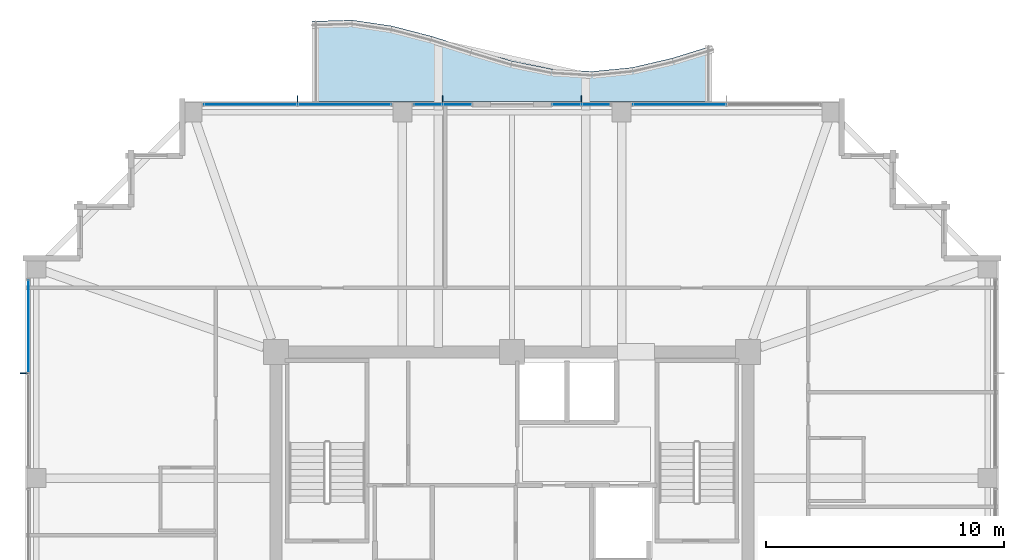
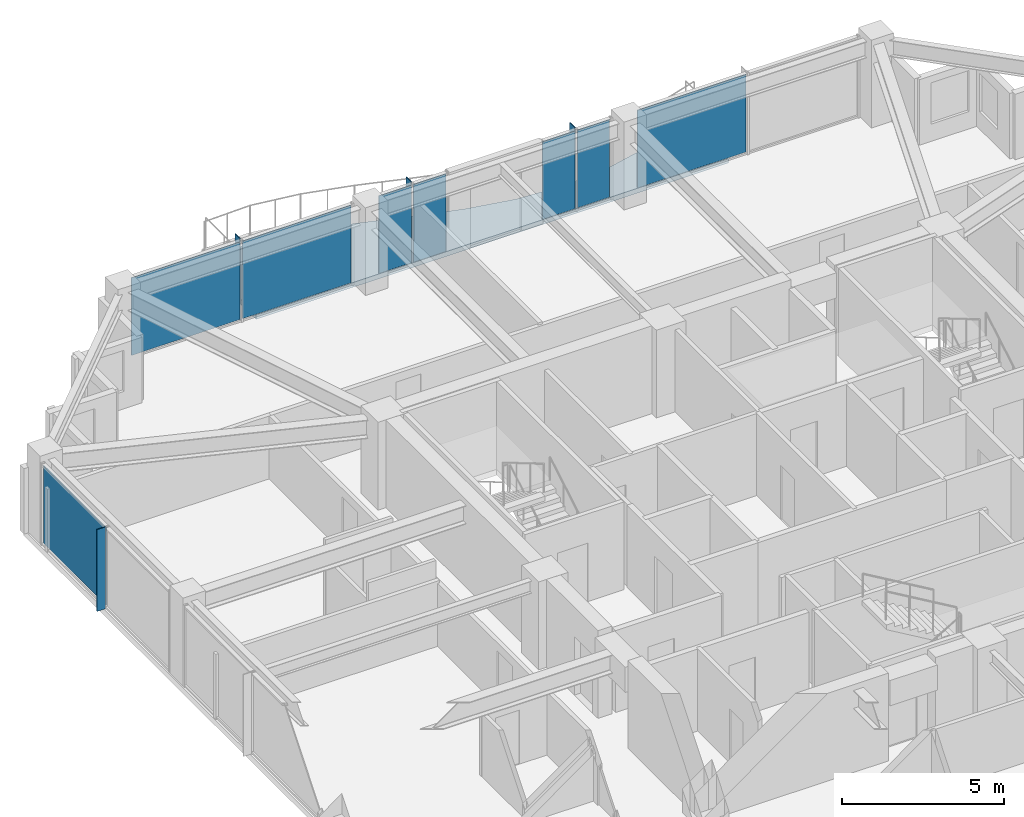
# One storey, part 28 of 36: 12 plates, 1 slab, 5 elements without a shape of their own.
"""IFC4 building model written with IfcOpenShell, lengths in metres."""

from ifc_helpers import new_model, si_unit, direction, frame, origin, origin_2d, place, context, subcontext, project, spatial, polyline, rectangle, outline, extrude, material, layer, layer_set, type_object, element, aggregate, save


model = new_model("IFC4")

# Units and contexts
model_context = context("Model", 3, precision=1e-05, world=origin(), true_north=direction((0.0, 1.0)))
body_context = subcontext(model_context, "Body", "Model", "MODEL_VIEW")
ifc_project = project(units=[si_unit("LENGTHUNIT", "METRE"), si_unit("AREAUNIT", "SQUARE_METRE"), si_unit("VOLUMEUNIT", "CUBIC_METRE"), si_unit("PLANEANGLEUNIT", "RADIAN"), si_unit("MASSUNIT", "GRAM", prefix="KILO")], contexts=[model_context])

# Site, building, storey
site_placement = place(None, origin())
site = spatial("IfcSite", under=ifc_project, at=site_placement, CompositionType="ELEMENT")
building_placement = place(site_placement, origin())
building = spatial("IfcBuilding", under=site, at=building_placement, Name="Kolvaren Belvedere", CompositionType="ELEMENT")
storey_placement = place(building_placement, frame((0.0, 0.0, 196.5)))
storey = spatial("IfcBuildingStorey", under=building, at=storey_placement, Name="L57", CompositionType="ELEMENT", Elevation=196.5)

# Curtain wall, plates
ifc_material_1 = material(Name="Anodised pale-metal aluminium AA 6063-T6", Category="aluminium")
curtain_wall_type = type_object("IfcCurtainWallType", Name="CW-Z5-HIGH", PredefinedType="NOTDEFINED", material=ifc_material_1)
curtain_wall_1_placement = place(storey_placement, origin())
curtain_wall_1 = element("IfcCurtainWall", 1, at=curtain_wall_1_placement, inside=storey, type_object=curtain_wall_type, Name="L57 Unitised Curtain Wall FCW-L57-N1-B1", PredefinedType="NOTDEFINED")
ifc_material_2 = material(Name="Low-iron triple insulated glass", Category="glass")
ifc_layer_1 = layer(ifc_material_2, 0.028076171875)
ifc_layer_set_1 = layer_set([ifc_layer_1], Name="Low-iron triple insulated glass")
plate_type_1 = type_object("IfcPlateType", Name="CW-PNL-VIS28", PredefinedType="CURTAIN_PANEL", material=ifc_layer_set_1)
plate_1_placement = place(storey_placement, frame((-10.972412109375, 20.280029296875, 0.080078125), z_axis=(0.0, 0.0, 1.0), x_axis=(1.0, 0.0, 0.0)))
plate_1 = element("IfcPlate", 2, at=plate_1_placement, type_object=plate_type_1, Name="FCW-L57-N1-B1 Vision Glazing Panel 1", PredefinedType="CURTAIN_PANEL", context=body_context, shape_type="SweptSolid", body=[
    extrude(rectangle(XDim=3.864990234375, YDim=0.028076171875, at=origin_2d()), origin(), (0.0, 0.0, 1.0), 2.919921875),
])
plate_2_placement = place(storey_placement, frame((-7.027587890625, 20.280029296875, 0.080078125), z_axis=(0.0, 0.0, 1.0), x_axis=(1.0, 0.0, 0.0)))
plate_2 = element("IfcPlate", 3, at=plate_2_placement, type_object=plate_type_1, Name="FCW-L57-N1-B1 Vision Glazing Panel 2", PredefinedType="CURTAIN_PANEL", context=body_context, shape_type="SweptSolid", body=[
    extrude(rectangle(XDim=3.864990234375, YDim=0.028076171875, at=origin_2d()), origin(), (0.0, 0.0, 1.0), 2.919921875),
])
aggregate(curtain_wall_1, [plate_1, plate_2])

curtain_wall_2_placement = place(storey_placement, origin())
curtain_wall_2 = element("IfcCurtainWall", 4, at=curtain_wall_2_placement, inside=storey, type_object=curtain_wall_type, Name="L57 Unitised Curtain Wall FCW-L57-N1-B2", PredefinedType="NOTDEFINED")
plate_3_placement = place(storey_placement, frame((-3.52880859375, 20.280029296875, 0.080078125), z_axis=(0.0, 0.0, 1.0), x_axis=(1.0, 0.0, 0.0)))
plate_3 = element("IfcPlate", 5, at=plate_3_placement, type_object=plate_type_1, Name="FCW-L57-N1-B2 Vision Glazing Panel 1", PredefinedType="CURTAIN_PANEL", context=body_context, shape_type="SweptSolid", body=[
    extrude(rectangle(XDim=1.152587890625, YDim=0.028076171875, at=origin_2d()), origin(), (0.0, 0.0, 1.0), 2.919921875),
])
plate_4_placement = place(storey_placement, frame((-2.296142578125, 20.280029296875, 0.080078125), z_axis=(0.0, 0.0, 1.0), x_axis=(1.0, 0.0, 0.0)))
plate_4 = element("IfcPlate", 6, at=plate_4_placement, type_object=plate_type_1, Name="FCW-L57-N1-B2 Vision Glazing Panel 2", PredefinedType="CURTAIN_PANEL", context=body_context, shape_type="SweptSolid", body=[
    extrude(rectangle(XDim=1.152587890625, YDim=0.028076171875, at=origin_2d()), origin(), (0.0, 0.0, 1.0), 2.919921875),
])
aggregate(curtain_wall_2, [plate_3, plate_4])

curtain_wall_3_placement = place(storey_placement, origin())
curtain_wall_3 = element("IfcCurtainWall", 7, at=curtain_wall_3_placement, inside=storey, type_object=curtain_wall_type, Name="L57 Unitised Curtain Wall FCW-L57-N2-B1", PredefinedType="NOTDEFINED")
plate_5_placement = place(storey_placement, frame((2.296142578125, 20.280029296875, 0.080078125), z_axis=(0.0, 0.0, 1.0), x_axis=(1.0, 0.0, 0.0)))
plate_5 = element("IfcPlate", 8, at=plate_5_placement, type_object=plate_type_1, Name="FCW-L57-N2-B1 Vision Glazing Panel 1", PredefinedType="CURTAIN_PANEL", context=body_context, shape_type="SweptSolid", body=[
    extrude(rectangle(XDim=1.152587890625, YDim=0.028076171875, at=origin_2d()), origin(), (0.0, 0.0, 1.0), 2.919921875),
])
plate_6_placement = place(storey_placement, frame((3.52880859375, 20.280029296875, 0.080078125), z_axis=(0.0, 0.0, 1.0), x_axis=(1.0, 0.0, 0.0)))
plate_6 = element("IfcPlate", 9, at=plate_6_placement, type_object=plate_type_1, Name="FCW-L57-N2-B1 Vision Glazing Panel 2", PredefinedType="CURTAIN_PANEL", context=body_context, shape_type="SweptSolid", body=[
    extrude(rectangle(XDim=1.152587890625, YDim=0.028076171875, at=origin_2d()), origin(), (0.0, 0.0, 1.0), 2.919921875),
])
aggregate(curtain_wall_3, [plate_5, plate_6])

# Curtain wall, plate
curtain_wall_4_placement = place(storey_placement, origin())
curtain_wall_4 = element("IfcCurtainWall", 10, at=curtain_wall_4_placement, inside=storey, type_object=curtain_wall_type, Name="L57 Unitised Curtain Wall FCW-L57-N2-B2", PredefinedType="NOTDEFINED")
plate_7_placement = place(storey_placement, frame((7.027587890625, 20.280029296875, 0.080078125), z_axis=(0.0, 0.0, 1.0), x_axis=(1.0, 0.0, 0.0)))
plate_7 = element("IfcPlate", 11, at=plate_7_placement, type_object=plate_type_1, Name="FCW-L57-N2-B2 Vision Glazing Panel 1", PredefinedType="CURTAIN_PANEL", context=body_context, shape_type="SweptSolid", body=[
    extrude(rectangle(XDim=3.864990234375, YDim=0.028076171875, at=origin_2d()), origin(), (0.0, 0.0, 1.0), 2.919921875),
])
aggregate(curtain_wall_4, [plate_7])

curtain_wall_5_placement = place(storey_placement, origin())
curtain_wall_5 = element("IfcCurtainWall", 12, at=curtain_wall_5_placement, inside=storey, type_object=curtain_wall_type, Name="L57 Unitised Curtain Wall FCW-L57-W-B3", PredefinedType="NOTDEFINED")
plate_8_placement = place(storey_placement, frame((-20.280029296875, 10.972412109375, 0.080078125), z_axis=(0.0, 0.0, 1.0), x_axis=(0.0, 1.0, 0.0)))
plate_8 = element("IfcPlate", 13, at=plate_8_placement, type_object=plate_type_1, Name="FCW-L57-W-B3 Vision Glazing Panel 2", PredefinedType="CURTAIN_PANEL", context=body_context, shape_type="SweptSolid", body=[
    extrude(rectangle(XDim=3.864990234375, YDim=0.028076171875, at=origin_2d()), origin(), (0.0, 0.0, 1.0), 2.919921875),
])
aggregate(curtain_wall_5, [plate_8])

# Plates
ifc_material_3 = material(Name="Anodised pale-metal aluminium AA 6063-T6", Category="aluminium")
ifc_layer_2 = layer(ifc_material_3, 0.030029296875)
ifc_layer_set_2 = layer_set([ifc_layer_2], Name="Anodised pale-metal aluminium AA 6063-T6")
plate_type_2 = type_object("IfcPlateType", Name="FIN-VERT-300", PredefinedType="USERDEFINED", material=ifc_layer_set_2)
for number, where, z_axis, x_axis, name in (
    (14, (-9.0, 20.489990234375, 0.0), (0.0, 0.0, 1.0), (0.0, 1.0, 0.0), "L57 Pale-Metal Vertical Shading Fin FCW-L57-N1-B1-1"),
    (15, (-2.91259765625, 20.489990234375, 0.0), (0.0, 0.0, 1.0), (0.0, 1.0, 0.0), "L57 Pale-Metal Vertical Shading Fin FCW-L57-N1-B2-1"),
    (16, (2.91259765625, 20.489990234375, 0.0), (0.0, 0.0, 1.0), (0.0, 1.0, 0.0), "L57 Pale-Metal Vertical Shading Fin FCW-L57-N2-B1-1"),
    (17, (-20.489990234375, 9.0, 0.0), (0.0, 0.0, 1.0), (1.0, 0.0, 0.0), "L57 Pale-Metal Vertical Shading Fin FCW-L57-W-B3-1"),
):
    element("IfcPlate", number, at=place(storey_placement, frame(where, z_axis=z_axis, x_axis=x_axis)), inside=storey, type_object=plate_type_2, Name=name, ObjectType="VERTICAL FIN", PredefinedType="USERDEFINED", context=body_context, shape_type="SweptSolid", body=[
        extrude(rectangle(XDim=0.300048828125, YDim=0.030029296875, at=origin_2d()), origin(), (0.0, 0.0, 1.0), 3.080078125),
    ])

# Slab
ifc_material_4 = material(Name="Concrete C50/60", Category="concrete")
ifc_layer_3 = layer(ifc_material_4, 0.179931640625)
ifc_layer_set_3 = layer_set([ifc_layer_3], Name="Concrete C50/60")
slab_type = type_object("IfcSlabType", Name="SL-BAL-180", PredefinedType="FLOOR", material=ifc_layer_set_3)
slab_placement = place(storey_placement, frame((0.0, 0.0, -0.219970703125)))
element("IfcSlab", 18, at=slab_placement, inside=storey, type_object=slab_type, Name="L57 Planted Balcony BAL-N", PredefinedType="FLOOR", context=body_context, shape_type="SweptSolid", body=[
    extrude(outline(polyline([(-8.39990234375, 20.39990234375), (-6.719970703125, 20.39990234375), (-5.0400390625, 20.39990234375), (-3.360107421875, 20.39990234375), (-1.679931640625, 20.39990234375), (0.0, 20.39990234375), (1.679931640625, 20.39990234375), (3.360107421875, 20.39990234375), (5.0400390625, 20.39990234375), (6.719970703125, 20.39990234375), (8.39990234375, 20.39990234375), (8.39990234375, 22.739990234375), (6.719970703125, 22.2197265625), (5.0400390625, 21.828125), (3.360107421875, 21.662109375), (1.679931640625, 21.7626953125), (0.0, 22.105224609375), (-1.679931640625, 22.6044921875), (-3.360107421875, 23.1376953125), (-5.0400390625, 23.572265625), (-6.719970703125, 23.820068359375), (-8.39990234375, 23.76708984375), (-8.39990234375, 20.39990234375)])), origin(), (0.0, 0.0, 1.0), 0.179931640625),
])

save(model, "model.ifc")
